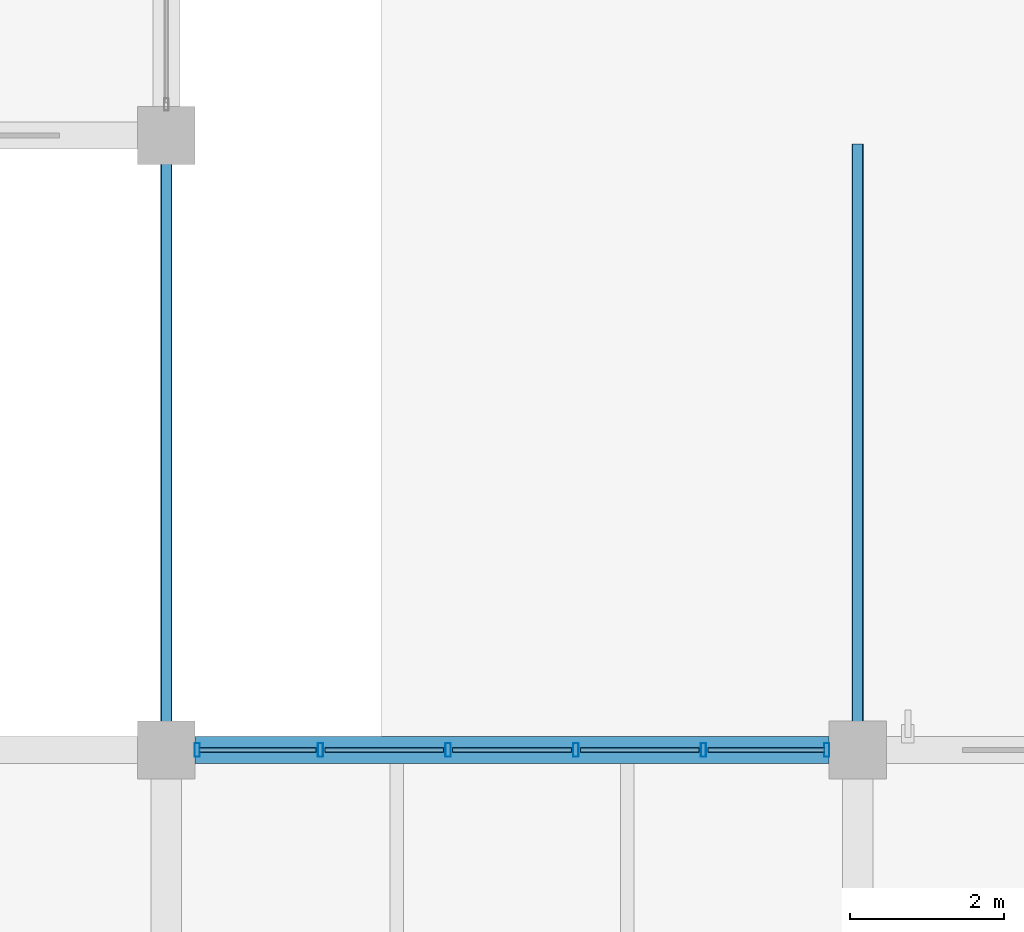
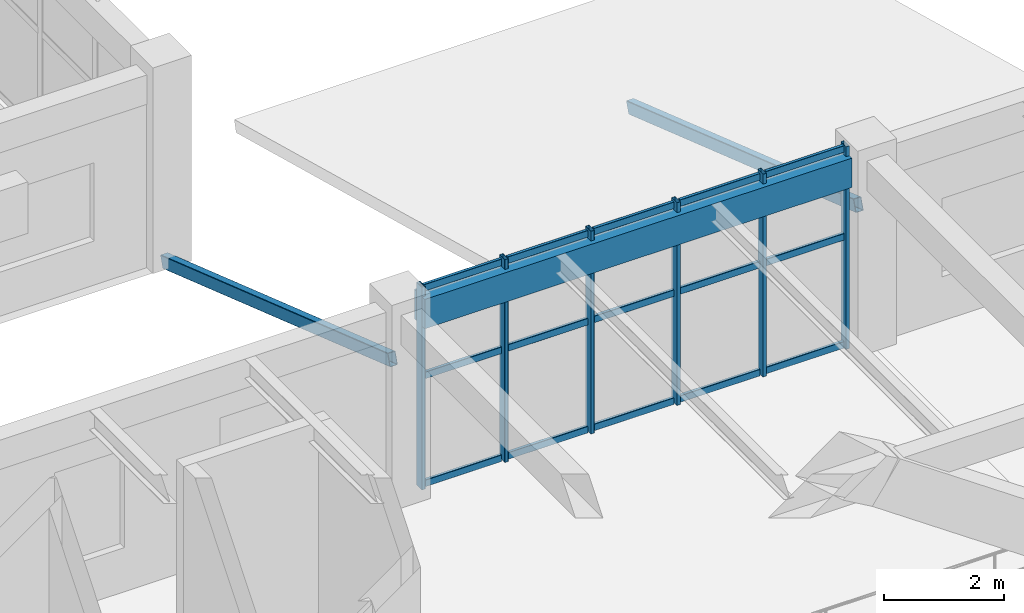
# One storey, part 61 of 148: 23 members, 1 beam, 1 element without a shape of its own.
"""IFC4 building model written with IfcOpenShell, lengths in metres."""

from ifc_helpers import new_model, si_unit, derived_unit, direction, frame, origin, origin_2d, place, context, subcontext, project, spatial, rectangle, hollow_rectangle, extrude, material, material_profile, profile_set, type_object, element, aggregate, save


model = new_model("IFC4")

# Units and contexts
model_context = context("Model", 3, precision=1e-05, world=origin(), true_north=direction((0.0, 1.0)))
body_context = subcontext(model_context, "Body", "Model", "MODEL_VIEW")
ifc_project = project(units=[si_unit("LENGTHUNIT", "METRE"), si_unit("AREAUNIT", "SQUARE_METRE"), si_unit("VOLUMEUNIT", "CUBIC_METRE"), si_unit("PLANEANGLEUNIT", "RADIAN"), si_unit("MASSUNIT", "GRAM", prefix="KILO"), derived_unit("THERMALTRANSMITTANCEUNIT", [(si_unit("MASSUNIT", "GRAM", prefix="KILO"), 1), (si_unit("TIMEUNIT", "SECOND"), -3), (si_unit("THERMODYNAMICTEMPERATUREUNIT", "KELVIN"), -1)])], contexts=[model_context])

# Site, building, storey
site_placement = place(None, origin())
site = spatial("IfcSite", under=ifc_project, at=site_placement, CompositionType="ELEMENT")
building_placement = place(site_placement, origin())
building = spatial("IfcBuilding", under=site, at=building_placement, Name="Zhenchuan Archway Interchange", CompositionType="ELEMENT")
storey_placement = place(building_placement, frame((0.0, 0.0, 10.199951171875)))
storey = spatial("IfcBuildingStorey", under=building, at=storey_placement, Name="L02", CompositionType="ELEMENT", Elevation=10.199951171875)

# Curtain wall, members
ifc_material_1 = material(Name="Anodised Aluminium", Category="aluminium")
curtain_wall_type = type_object("IfcCurtainWallType", Name="CW_UNIT_3", PredefinedType="NOTDEFINED", material=ifc_material_1)
curtain_wall_placement = place(storey_placement, origin())
curtain_wall = element("IfcCurtainWall", 1, at=curtain_wall_placement, inside=storey, type_object=curtain_wall_type, Name="Unitised curtain wall CW:L02:118", PredefinedType="NOTDEFINED")
ifc_material_profile_1 = material_profile(ifc_material_1, hollow_rectangle(XDim=0.070068359375, YDim=0.179931640625, WallThickness=0.00390625, InnerFilletRadius=0.00390625, OuterFilletRadius=0.008056640625, at=origin_2d()), Name="ALU 180x70x4")
ifc_profile_set_1 = profile_set([ifc_material_profile_1], Name="Anodised Aluminium")
member_type_1 = type_object("IfcMemberType", Name="CW_MUL_180", PredefinedType="MULLION", material=ifc_profile_set_1)
member_1_placement = place(storey_placement, frame((54.403076171875, 88.0, 0.0), z_axis=(0.0, 0.0, 1.0), x_axis=(1.0, 0.0, 0.0)))
member_1 = element("IfcMember", 2, at=member_1_placement, type_object=member_type_1, Name="CW:L02:118 mullion 0", PredefinedType="MULLION", context=body_context, shape_type="SweptSolid", body=[
    extrude(hollow_rectangle(XDim=0.070068359375, YDim=0.179931640625, WallThickness=0.00390625, InnerFilletRadius=0.00390625, OuterFilletRadius=0.008056640625, at=origin_2d()), origin(), (0.0, 0.0, 1.0), 4.14013671875),
])
member_2_placement = place(storey_placement, frame((56.005859375, 88.0, 0.0), z_axis=(0.0, 0.0, 1.0), x_axis=(1.0, 0.0, 0.0)))
member_2 = element("IfcMember", 3, at=member_2_placement, type_object=member_type_1, Name="CW:L02:118 mullion 1", PredefinedType="MULLION", context=body_context, shape_type="SweptSolid", body=[
    extrude(hollow_rectangle(XDim=0.070068359375, YDim=0.179931640625, WallThickness=0.00390625, InnerFilletRadius=0.00390625, OuterFilletRadius=0.008056640625, at=origin_2d()), origin(), (0.0, 0.0, 1.0), 4.14013671875),
])
member_3_placement = place(storey_placement, frame((57.668701171875, 88.0, 0.0), z_axis=(0.0, 0.0, 1.0), x_axis=(1.0, 0.0, 0.0)))
member_3 = element("IfcMember", 4, at=member_3_placement, type_object=member_type_1, Name="CW:L02:118 mullion 2", PredefinedType="MULLION", context=body_context, shape_type="SweptSolid", body=[
    extrude(hollow_rectangle(XDim=0.070068359375, YDim=0.179931640625, WallThickness=0.00390625, InnerFilletRadius=0.00390625, OuterFilletRadius=0.008056640625, at=origin_2d()), origin(), (0.0, 0.0, 1.0), 4.14013671875),
])
member_4_placement = place(storey_placement, frame((59.331298828125, 88.0, 0.0), z_axis=(0.0, 0.0, 1.0), x_axis=(1.0, 0.0, 0.0)))
member_4 = element("IfcMember", 5, at=member_4_placement, type_object=member_type_1, Name="CW:L02:118 mullion 3", PredefinedType="MULLION", context=body_context, shape_type="SweptSolid", body=[
    extrude(hollow_rectangle(XDim=0.070068359375, YDim=0.179931640625, WallThickness=0.00390625, InnerFilletRadius=0.00390625, OuterFilletRadius=0.008056640625, at=origin_2d()), origin(), (0.0, 0.0, 1.0), 4.14013671875),
])
member_5_placement = place(storey_placement, frame((60.994140625, 88.0, 0.0), z_axis=(0.0, 0.0, 1.0), x_axis=(1.0, 0.0, 0.0)))
member_5 = element("IfcMember", 6, at=member_5_placement, type_object=member_type_1, Name="CW:L02:118 mullion 4", PredefinedType="MULLION", context=body_context, shape_type="SweptSolid", body=[
    extrude(hollow_rectangle(XDim=0.070068359375, YDim=0.179931640625, WallThickness=0.00390625, InnerFilletRadius=0.00390625, OuterFilletRadius=0.008056640625, at=origin_2d()), origin(), (0.0, 0.0, 1.0), 4.14013671875),
])
member_6_placement = place(storey_placement, frame((62.596923828125, 88.0, 0.0), z_axis=(0.0, 0.0, 1.0), x_axis=(1.0, 0.0, 0.0)))
member_6 = element("IfcMember", 7, at=member_6_placement, type_object=member_type_1, Name="CW:L02:118 mullion 5", PredefinedType="MULLION", context=body_context, shape_type="SweptSolid", body=[
    extrude(hollow_rectangle(XDim=0.070068359375, YDim=0.179931640625, WallThickness=0.00390625, InnerFilletRadius=0.00390625, OuterFilletRadius=0.008056640625, at=origin_2d()), origin(), (0.0, 0.0, 1.0), 4.14013671875),
])
ifc_material_profile_2 = material_profile(ifc_material_1, hollow_rectangle(XDim=0.06005859375, YDim=0.139892578125, WallThickness=0.00341796875, InnerFilletRadius=0.00341796875, OuterFilletRadius=0.007080078125, at=origin_2d()), Name="ALU 140x60x3.5")
ifc_profile_set_2 = profile_set([ifc_material_profile_2], Name="Anodised Aluminium")
member_type_2 = type_object("IfcMemberType", Name="CW_TRN_140", PredefinedType="USERDEFINED", material=ifc_profile_set_2)
member_7_placement = place(storey_placement, frame((54.423095703125, 88.0, 0.06005859375), z_axis=(1.0, 0.0, 0.0), x_axis=(0.0, 1.0, 0.0)))
member_7 = element("IfcMember", 8, at=member_7_placement, type_object=member_type_2, Name="CW:L02:118 transom 0-1", ObjectType="TRANSOM", PredefinedType="USERDEFINED", context=body_context, shape_type="SweptSolid", body=[
    extrude(hollow_rectangle(XDim=0.06005859375, YDim=0.139892578125, WallThickness=0.00341796875, InnerFilletRadius=0.00341796875, OuterFilletRadius=0.007080078125, at=origin_2d()), origin(), (0.0, 0.0, 1.0), 1.522705078125),
])
member_8_placement = place(storey_placement, frame((54.423095703125, 88.0, 2.26611328125), z_axis=(1.0, 0.0, 0.0), x_axis=(0.0, 1.0, 0.0)))
member_8 = element("IfcMember", 9, at=member_8_placement, type_object=member_type_2, Name="CW:L02:118 transom 0-2", ObjectType="TRANSOM", PredefinedType="USERDEFINED", context=body_context, shape_type="SweptSolid", body=[
    extrude(hollow_rectangle(XDim=0.06005859375, YDim=0.139892578125, WallThickness=0.00341796875, InnerFilletRadius=0.00341796875, OuterFilletRadius=0.007080078125, at=origin_2d()), origin(), (0.0, 0.0, 1.0), 1.522705078125),
])
member_9_placement = place(storey_placement, frame((54.423095703125, 88.0, 4.06005859375), z_axis=(1.0, 0.0, 0.0), x_axis=(0.0, 1.0, 0.0)))
member_9 = element("IfcMember", 10, at=member_9_placement, type_object=member_type_2, Name="CW:L02:118 transom 0-3", ObjectType="TRANSOM", PredefinedType="USERDEFINED", context=body_context, shape_type="SweptSolid", body=[
    extrude(hollow_rectangle(XDim=0.06005859375, YDim=0.139892578125, WallThickness=0.00341796875, InnerFilletRadius=0.00341796875, OuterFilletRadius=0.007080078125, at=origin_2d()), origin(), (0.0, 0.0, 1.0), 1.522705078125),
])
member_10_placement = place(storey_placement, frame((56.06591796875, 88.0, 0.06005859375), z_axis=(1.0, 0.0, 0.0), x_axis=(0.0, 1.0, 0.0)))
member_10 = element("IfcMember", 11, at=member_10_placement, type_object=member_type_2, Name="CW:L02:118 transom 1-1", ObjectType="TRANSOM", PredefinedType="USERDEFINED", context=body_context, shape_type="SweptSolid", body=[
    extrude(hollow_rectangle(XDim=0.06005859375, YDim=0.139892578125, WallThickness=0.00341796875, InnerFilletRadius=0.00341796875, OuterFilletRadius=0.007080078125, at=origin_2d()), origin(), (0.0, 0.0, 1.0), 1.542724609375),
])
member_11_placement = place(storey_placement, frame((56.06591796875, 88.0, 2.26611328125), z_axis=(1.0, 0.0, 0.0), x_axis=(0.0, 1.0, 0.0)))
member_11 = element("IfcMember", 12, at=member_11_placement, type_object=member_type_2, Name="CW:L02:118 transom 1-2", ObjectType="TRANSOM", PredefinedType="USERDEFINED", context=body_context, shape_type="SweptSolid", body=[
    extrude(hollow_rectangle(XDim=0.06005859375, YDim=0.139892578125, WallThickness=0.00341796875, InnerFilletRadius=0.00341796875, OuterFilletRadius=0.007080078125, at=origin_2d()), origin(), (0.0, 0.0, 1.0), 1.542724609375),
])
member_12_placement = place(storey_placement, frame((56.06591796875, 88.0, 4.06005859375), z_axis=(1.0, 0.0, 0.0), x_axis=(0.0, 1.0, 0.0)))
member_12 = element("IfcMember", 13, at=member_12_placement, type_object=member_type_2, Name="CW:L02:118 transom 1-3", ObjectType="TRANSOM", PredefinedType="USERDEFINED", context=body_context, shape_type="SweptSolid", body=[
    extrude(hollow_rectangle(XDim=0.06005859375, YDim=0.139892578125, WallThickness=0.00341796875, InnerFilletRadius=0.00341796875, OuterFilletRadius=0.007080078125, at=origin_2d()), origin(), (0.0, 0.0, 1.0), 1.542724609375),
])
member_13_placement = place(storey_placement, frame((57.728515625, 88.0, 0.06005859375), z_axis=(1.0, 0.0, 0.0), x_axis=(0.0, 1.0, 0.0)))
member_13 = element("IfcMember", 14, at=member_13_placement, type_object=member_type_2, Name="CW:L02:118 transom 2-1", ObjectType="TRANSOM", PredefinedType="USERDEFINED", context=body_context, shape_type="SweptSolid", body=[
    extrude(hollow_rectangle(XDim=0.06005859375, YDim=0.139892578125, WallThickness=0.00341796875, InnerFilletRadius=0.00341796875, OuterFilletRadius=0.007080078125, at=origin_2d()), origin(), (0.0, 0.0, 1.0), 1.54296875),
])
member_14_placement = place(storey_placement, frame((57.728515625, 88.0, 2.26611328125), z_axis=(1.0, 0.0, 0.0), x_axis=(0.0, 1.0, 0.0)))
member_14 = element("IfcMember", 15, at=member_14_placement, type_object=member_type_2, Name="CW:L02:118 transom 2-2", ObjectType="TRANSOM", PredefinedType="USERDEFINED", context=body_context, shape_type="SweptSolid", body=[
    extrude(hollow_rectangle(XDim=0.06005859375, YDim=0.139892578125, WallThickness=0.00341796875, InnerFilletRadius=0.00341796875, OuterFilletRadius=0.007080078125, at=origin_2d()), origin(), (0.0, 0.0, 1.0), 1.54296875),
])
member_15_placement = place(storey_placement, frame((57.728515625, 88.0, 4.06005859375), z_axis=(1.0, 0.0, 0.0), x_axis=(0.0, 1.0, 0.0)))
member_15 = element("IfcMember", 16, at=member_15_placement, type_object=member_type_2, Name="CW:L02:118 transom 2-3", ObjectType="TRANSOM", PredefinedType="USERDEFINED", context=body_context, shape_type="SweptSolid", body=[
    extrude(hollow_rectangle(XDim=0.06005859375, YDim=0.139892578125, WallThickness=0.00341796875, InnerFilletRadius=0.00341796875, OuterFilletRadius=0.007080078125, at=origin_2d()), origin(), (0.0, 0.0, 1.0), 1.54296875),
])
member_16_placement = place(storey_placement, frame((59.391357421875, 88.0, 0.06005859375), z_axis=(1.0, 0.0, 0.0), x_axis=(0.0, 1.0, 0.0)))
member_16 = element("IfcMember", 17, at=member_16_placement, type_object=member_type_2, Name="CW:L02:118 transom 3-1", ObjectType="TRANSOM", PredefinedType="USERDEFINED", context=body_context, shape_type="SweptSolid", body=[
    extrude(hollow_rectangle(XDim=0.06005859375, YDim=0.139892578125, WallThickness=0.00341796875, InnerFilletRadius=0.00341796875, OuterFilletRadius=0.007080078125, at=origin_2d()), origin(), (0.0, 0.0, 1.0), 1.542724609375),
])
member_17_placement = place(storey_placement, frame((59.391357421875, 88.0, 2.26611328125), z_axis=(1.0, 0.0, 0.0), x_axis=(0.0, 1.0, 0.0)))
member_17 = element("IfcMember", 18, at=member_17_placement, type_object=member_type_2, Name="CW:L02:118 transom 3-2", ObjectType="TRANSOM", PredefinedType="USERDEFINED", context=body_context, shape_type="SweptSolid", body=[
    extrude(hollow_rectangle(XDim=0.06005859375, YDim=0.139892578125, WallThickness=0.00341796875, InnerFilletRadius=0.00341796875, OuterFilletRadius=0.007080078125, at=origin_2d()), origin(), (0.0, 0.0, 1.0), 1.542724609375),
])
member_18_placement = place(storey_placement, frame((59.391357421875, 88.0, 4.06005859375), z_axis=(1.0, 0.0, 0.0), x_axis=(0.0, 1.0, 0.0)))
member_18 = element("IfcMember", 19, at=member_18_placement, type_object=member_type_2, Name="CW:L02:118 transom 3-3", ObjectType="TRANSOM", PredefinedType="USERDEFINED", context=body_context, shape_type="SweptSolid", body=[
    extrude(hollow_rectangle(XDim=0.06005859375, YDim=0.139892578125, WallThickness=0.00341796875, InnerFilletRadius=0.00341796875, OuterFilletRadius=0.007080078125, at=origin_2d()), origin(), (0.0, 0.0, 1.0), 1.542724609375),
])
member_19_placement = place(storey_placement, frame((61.05419921875, 88.0, 0.06005859375), z_axis=(1.0, 0.0, 0.0), x_axis=(0.0, 1.0, 0.0)))
member_19 = element("IfcMember", 20, at=member_19_placement, type_object=member_type_2, Name="CW:L02:118 transom 4-1", ObjectType="TRANSOM", PredefinedType="USERDEFINED", context=body_context, shape_type="SweptSolid", body=[
    extrude(hollow_rectangle(XDim=0.06005859375, YDim=0.139892578125, WallThickness=0.00341796875, InnerFilletRadius=0.00341796875, OuterFilletRadius=0.007080078125, at=origin_2d()), origin(), (0.0, 0.0, 1.0), 1.522705078125),
])
member_20_placement = place(storey_placement, frame((61.05419921875, 88.0, 2.26611328125), z_axis=(1.0, 0.0, 0.0), x_axis=(0.0, 1.0, 0.0)))
member_20 = element("IfcMember", 21, at=member_20_placement, type_object=member_type_2, Name="CW:L02:118 transom 4-2", ObjectType="TRANSOM", PredefinedType="USERDEFINED", context=body_context, shape_type="SweptSolid", body=[
    extrude(hollow_rectangle(XDim=0.06005859375, YDim=0.139892578125, WallThickness=0.00341796875, InnerFilletRadius=0.00341796875, OuterFilletRadius=0.007080078125, at=origin_2d()), origin(), (0.0, 0.0, 1.0), 1.522705078125),
])
member_21_placement = place(storey_placement, frame((61.05419921875, 88.0, 4.06005859375), z_axis=(1.0, 0.0, 0.0), x_axis=(0.0, 1.0, 0.0)))
member_21 = element("IfcMember", 22, at=member_21_placement, type_object=member_type_2, Name="CW:L02:118 transom 4-3", ObjectType="TRANSOM", PredefinedType="USERDEFINED", context=body_context, shape_type="SweptSolid", body=[
    extrude(hollow_rectangle(XDim=0.06005859375, YDim=0.139892578125, WallThickness=0.00341796875, InnerFilletRadius=0.00341796875, OuterFilletRadius=0.007080078125, at=origin_2d()), origin(), (0.0, 0.0, 1.0), 1.522705078125),
])
aggregate(curtain_wall, [member_1, member_2, member_3, member_4, member_5, member_6, member_7, member_8, member_9, member_10, member_11, member_12, member_13, member_14, member_15, member_16, member_17, member_18, member_19, member_20, member_21])

# Members
ifc_material_2 = material(Name="Steel Q355", Category="steel")
ifc_material_profile_3 = material_profile(ifc_material_2, hollow_rectangle(XDim=0.14990234375, YDim=0.25, WallThickness=0.008056640625, InnerFilletRadius=0.008056640625, OuterFilletRadius=0.01611328125, at=origin_2d()), Name="RHS 250x150x8")
ifc_profile_set_3 = profile_set([ifc_material_profile_3], Name="Steel Q355")
member_type_3 = type_object("IfcMemberType", Name="MB_RHS250", PredefinedType="PURLIN", material=ifc_profile_set_3)
for number, where, z_axis, x_axis, name in (
    (23, (54.0, 95.85009765625, 0.0), (0.0, -0.946161535326, 0.323694839423), (1.0, 0.0, 0.0), "Concourse north entry roof rafter X54"),
    (24, (63.0, 95.85009765625, 0.0), (0.0, -0.946161535326, 0.323694839423), (1.0, 0.0, 0.0), "Concourse north entry roof rafter X63"),
):
    element("IfcMember", number, at=place(storey_placement, frame(where, z_axis=z_axis, x_axis=x_axis)), inside=storey, type_object=member_type_3, Name=name, PredefinedType="PURLIN", context=body_context, shape_type="SweptSolid", body=[
        extrude(hollow_rectangle(XDim=0.14990234375, YDim=0.25, WallThickness=0.008056640625, InnerFilletRadius=0.008056640625, OuterFilletRadius=0.01611328125, at=origin_2d()), origin(), (0.0, 0.0, 1.0), 8.032470703125),
    ])

# Beam
ifc_material_3 = material(Name="Concrete C40", Category="concrete")
ifc_material_profile_4 = material_profile(ifc_material_3, rectangle(XDim=0.35009765625, YDim=0.60009765625, at=origin_2d()), Name="RC 350x600")
ifc_profile_set_4 = profile_set([ifc_material_profile_4], Name="Concrete C40")
beam_type = type_object("IfcBeamType", Name="SP_RC_350x600", PredefinedType="SPANDREL", material=ifc_profile_set_4)
beam_placement = place(storey_placement, frame((54.375, 88.0, 3.64013671875), z_axis=(1.0, 0.0, 0.0), x_axis=(0.0, 1.0, 0.0)))
element("IfcBeam", 25, at=beam_placement, inside=storey, type_object=beam_type, Name="Beam M:7-8 (L02)", PredefinedType="SPANDREL", context=body_context, shape_type="SweptSolid", body=[
    extrude(rectangle(XDim=0.35009765625, YDim=0.60009765625, at=origin_2d()), origin(), (0.0, 0.0, 1.0), 8.25),
])

save(model, "model.ifc")
